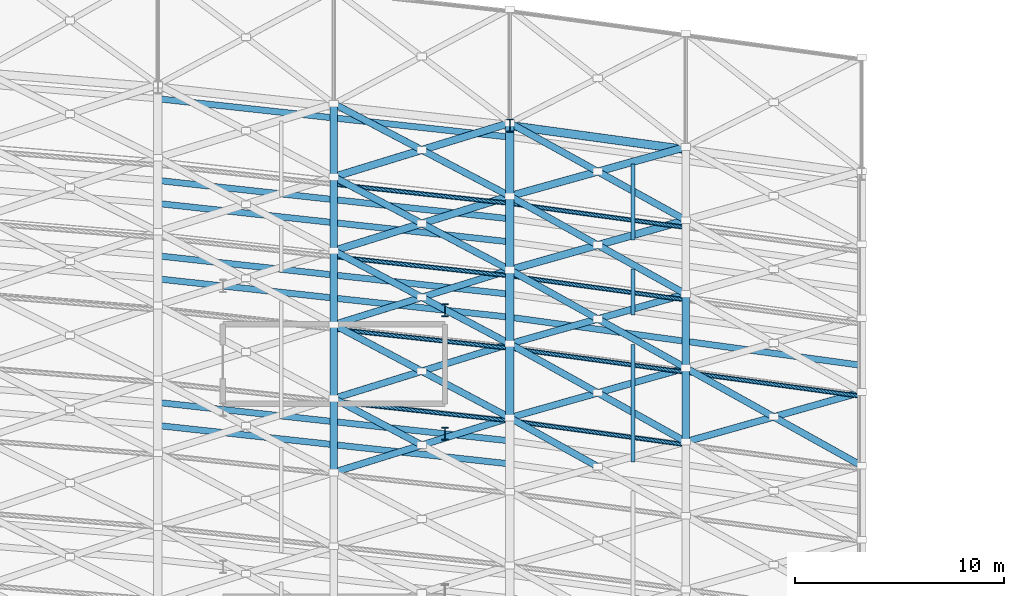
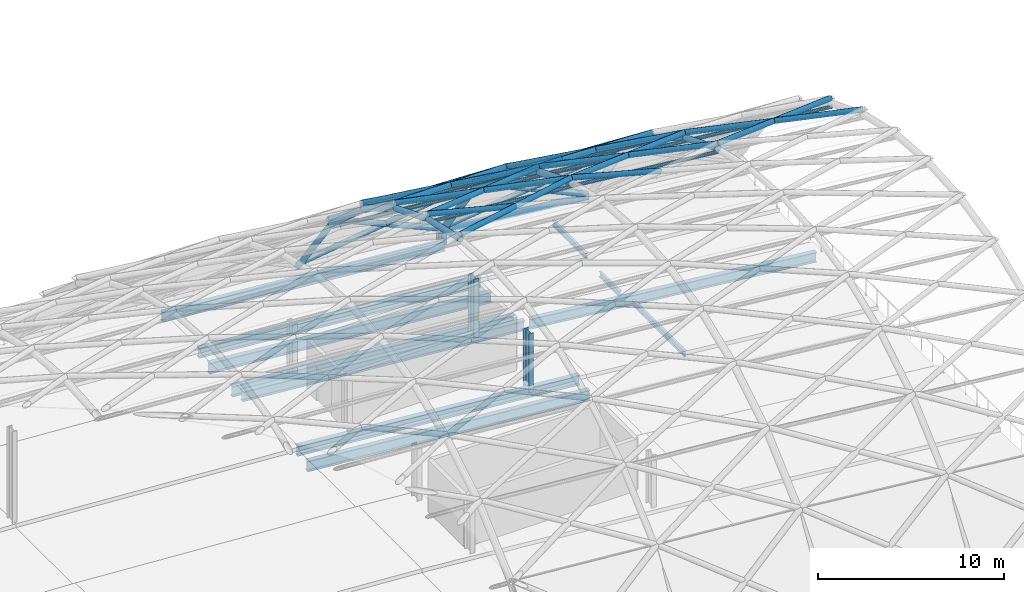
# One storey, part 60 of 100: 54 members, 11 beams.
"""IFC4 building model written with IfcOpenShell, lengths in metres."""

from ifc_helpers import new_model, si_unit, direction, frame, origin, origin_2d, place, context, subcontext, project, spatial, hollow_circle, i_section, extrude, material, material_profile, profile_set, type_object, element, save


model = new_model("IFC4")

# Units and contexts
model_context = context("Model", 3, precision=1e-05, world=origin(), true_north=direction((0.0, 1.0)))
body_context = subcontext(model_context, "Body", "Model", "MODEL_VIEW")
ifc_project = project(units=[si_unit("LENGTHUNIT", "METRE"), si_unit("AREAUNIT", "SQUARE_METRE"), si_unit("VOLUMEUNIT", "CUBIC_METRE"), si_unit("PLANEANGLEUNIT", "RADIAN"), si_unit("MASSUNIT", "GRAM", prefix="KILO")], contexts=[model_context])

# Site, building, storey
site_placement = place(None, origin())
site = spatial("IfcSite", under=ifc_project, at=site_placement, CompositionType="ELEMENT")
building_placement = place(site_placement, origin())
building = spatial("IfcBuilding", under=site, at=building_placement, Name="Kimbaza Rail Terminus", CompositionType="ELEMENT")
storey_placement = place(building_placement, frame((0.0, 0.0, 10.800048828125)))
storey = spatial("IfcBuildingStorey", under=building, at=storey_placement, Name="L02", CompositionType="ELEMENT", Elevation=10.800048828125)

# Beams
ifc_material_1 = material(Name="Steel S355", Category="steel")
ifc_material_profile_1 = material_profile(ifc_material_1, i_section(OverallWidth=0.300048828125, OverallDepth=0.64990234375, WebThickness=0.01611328125, FlangeThickness=0.031005859375, FilletRadius=0.027099609375, at=origin_2d()), Name="HEB 650")
ifc_profile_set_1 = profile_set([ifc_material_profile_1], Name="Steel S355")
beam_type_1 = type_object("IfcBeamType", Name="STR-BM-HEB650", PredefinedType="USERDEFINED", material=ifc_profile_set_1)
for number, where, z_axis, x_axis, name in (
    (1, (172.944091796875, 78.939697265625, -0.5849609375), (0.994108571086, -0.108388878093, 0.0), (0.108388878093, 0.994108571086, 0.0), "Viaduct Chorded Girder P3 Bay 10"),
    (2, (172.944091796875, 84.839599609375, -0.5849609375), (0.994108571086, -0.108388878093, 0.0), (0.108388878093, 0.994108571086, 0.0), "Viaduct Chorded Girder P3 Bay 10"),
    (3, (172.944091796875, 89.539794921875, -0.5849609375), (0.994106987183, -0.108403404165, 0.0), (0.108403404165, 0.994106987183, 0.0), "Viaduct Chorded Girder P4 Bay 10"),
    (4, (172.944091796875, 93.439697265625, -0.5849609375), (0.994108571086, -0.108388878093, 0.0), (0.108388878093, 0.994108571086, 0.0), "Viaduct Chorded Girder P4 Bay 10"),
):
    element("IfcBeam", number, at=place(storey_placement, frame(where, z_axis=z_axis, x_axis=x_axis)), inside=storey, type_object=beam_type_1, Name=name, ObjectType="GIRDER", PredefinedType="USERDEFINED", context=body_context, shape_type="SweptSolid", body=[
        extrude(i_section(OverallWidth=0.300048828125, OverallDepth=0.64990234375, WebThickness=0.01611328125, FlangeThickness=0.031005859375, FilletRadius=0.027099609375, at=origin_2d()), origin(), (0.0, 0.0, 1.0), 16.609619140625),
    ])
beam_1_placement = place(storey_placement, frame((189.74365234375, 83.00390625, -0.5849609375), z_axis=(0.990777321611, -0.135500180745, 0.0), x_axis=(0.135500180745, 0.990777321611, 0.0)))
element("IfcBeam", 5, at=beam_1_placement, inside=storey, type_object=beam_type_1, Name="Viaduct Chorded Girder P3 Bay 11", ObjectType="GIRDER", PredefinedType="USERDEFINED", context=body_context, shape_type="SweptSolid", body=[
    extrude(i_section(OverallWidth=0.300048828125, OverallDepth=0.64990234375, WebThickness=0.01611328125, FlangeThickness=0.031005859375, FilletRadius=0.027099609375, at=origin_2d()), origin(), (0.0, 0.0, 1.0), 16.66650390625),
])
ifc_material_2 = material(Name="Steel S355", Category="steel")
ifc_material_profile_2 = material_profile(ifc_material_2, i_section(OverallWidth=0.300048828125, OverallDepth=0.699951171875, WebThickness=0.01708984375, FlangeThickness=0.031982421875, FilletRadius=0.027099609375, at=origin_2d()), Name="HEB 700")
ifc_profile_set_2 = profile_set([ifc_material_profile_2], Name="Steel S355")
beam_type_2 = type_object("IfcBeamType", Name="STR-BM-HEB700", PredefinedType="USERDEFINED", material=ifc_profile_set_2)
for number, where, z_axis, x_axis, name in (
    (6, (172.944091796875, 77.839599609375, -0.920166015625), (0.994108571086, -0.108388878093, 0.0), (0.108388878093, 0.994108571086, 0.0), "Viaduct Chorded Girder TR34 Bay 10"),
    (7, (172.944091796875, 85.939697265625, -0.920166015625), (0.994108571086, -0.108388878093, 0.0), (0.108388878093, 0.994108571086, 0.0), "Viaduct Chorded Girder TR56 Bay 10"),
    (8, (172.944091796875, 88.439697265625, -0.920166015625), (0.994108571086, -0.108388878093, 0.0), (0.108388878093, 0.994108571086, 0.0), "Viaduct Chorded Girder TR56 Bay 10"),
):
    element("IfcBeam", number, at=place(storey_placement, frame(where, z_axis=z_axis, x_axis=x_axis)), inside=storey, type_object=beam_type_2, Name=name, ObjectType="GIRDER", PredefinedType="USERDEFINED", context=body_context, shape_type="SweptSolid", body=[
        extrude(i_section(OverallWidth=0.300048828125, OverallDepth=0.699951171875, WebThickness=0.01708984375, FlangeThickness=0.031982421875, FilletRadius=0.027099609375, at=origin_2d()), origin(), (0.0, 0.0, 1.0), 16.609619140625),
    ])
ifc_material_3 = material(Name="Steel S355", Category="steel")
ifc_material_profile_3 = material_profile(ifc_material_3, i_section(OverallWidth=0.169921875, OverallDepth=0.360107421875, WebThickness=0.008056640625, FlangeThickness=0.0126953125, FilletRadius=0.01806640625, at=origin_2d()), Name="IPE 360")
ifc_profile_set_3 = profile_set([ifc_material_profile_3], Name="Steel S355")
beam_type_3 = type_object("IfcBeamType", Name="STR-BM-IPE360", PredefinedType="JOIST", material=ifc_profile_set_3)
beam_2_placement = place(storey_placement, frame((195.47998046875, 76.119873046875, -0.43994140625), z_axis=(0.0, 1.0, 0.0), x_axis=(-1.0, 0.0, 0.0)))
element("IfcBeam", 9, at=beam_2_placement, inside=storey, type_object=beam_type_3, Name="Viaduct Diaphragm P3 Bay 11", PredefinedType="JOIST", context=body_context, shape_type="SweptSolid", body=[
    extrude(i_section(OverallWidth=0.169921875, OverallDepth=0.360107421875, WebThickness=0.008056640625, FlangeThickness=0.0126953125, FilletRadius=0.01806640625, at=origin_2d()), origin(), (0.0, 0.0, 1.0), 5.60986328125),
])
beam_3_placement = place(storey_placement, frame((195.47998046875, 83.119873046875, -0.75), z_axis=(0.0, 1.0, 0.0), x_axis=(-1.0, 0.0, 0.0)))
element("IfcBeam", 10, at=beam_3_placement, inside=storey, type_object=beam_type_3, Name="Viaduct Diaphragm TR56 Bay 11", PredefinedType="JOIST", context=body_context, shape_type="SweptSolid", body=[
    extrude(i_section(OverallWidth=0.169921875, OverallDepth=0.360107421875, WebThickness=0.008056640625, FlangeThickness=0.0126953125, FilletRadius=0.01806640625, at=origin_2d()), origin(), (0.0, 0.0, 1.0), 2.2099609375),
])
beam_4_placement = place(storey_placement, frame((195.47998046875, 86.7197265625, -0.43994140625), z_axis=(0.0, 1.0, 0.0), x_axis=(-1.0, 0.0, 0.0)))
element("IfcBeam", 11, at=beam_4_placement, inside=storey, type_object=beam_type_3, Name="Viaduct Diaphragm P4 Bay 11", PredefinedType="JOIST", context=body_context, shape_type="SweptSolid", body=[
    extrude(i_section(OverallWidth=0.169921875, OverallDepth=0.360107421875, WebThickness=0.008056640625, FlangeThickness=0.0126953125, FilletRadius=0.01806640625, at=origin_2d()), origin(), (0.0, 0.0, 1.0), 3.610107421875),
])

# Members
ifc_material_4 = material(Name="White painted steel S355", Category="steel")
ifc_material_profile_4 = material_profile(ifc_material_4, hollow_circle(Radius=0.109619140625, WallThickness=0.008056640625, at=origin_2d()), Name="CHS 219.1x8")
ifc_profile_set_4 = profile_set([ifc_material_profile_4], Name="White painted steel S355")
member_type_1 = type_object("IfcMemberType", Name="STR-MB-CHS219", PredefinedType="PURLIN", material=ifc_profile_set_4)
for number, where, z_axis, x_axis, name in (
    (12, (181.199951171875, 79.003662109375, 11.462158203125), (0.994106819652, -0.108404940487, 0.0), (0.108404940487, 0.994106819652, 0.0), "Vault lattice longitudinal purlin VR-19-VA09"),
    (13, (181.199951171875, 82.460693359375, 10.078857421875), (0.994106819652, -0.108404940487, 0.0), (0.108404940487, 0.994106819652, 0.0), "Vault lattice longitudinal purlin VR-19-VA10"),
    (14, (181.199951171875, 85.917724609375, 7.9716796875), (0.994106819652, -0.108404940487, 0.0), (0.108404940487, 0.994106819652, 0.0), "Vault lattice longitudinal purlin VR-19-VA11"),
    (15, (181.199951171875, 89.374755859375, 4.85205078125), (0.994106819652, -0.108404940487, 0.0), (0.108404940487, 0.994106819652, 0.0), "Vault lattice longitudinal purlin VR-19-VA12"),
):
    element("IfcMember", number, at=place(storey_placement, frame(where, z_axis=z_axis, x_axis=x_axis)), inside=storey, type_object=member_type_1, Name=name, PredefinedType="PURLIN", context=body_context, shape_type="SweptSolid", body=[
        extrude(hollow_circle(Radius=0.109619140625, WallThickness=0.008056640625, at=origin_2d()), origin(), (0.0, 0.0, 1.0), 8.449951171875),
    ])
for number, where, z_axis, x_axis, name in (
    (16, (189.60009765625, 78.087646484375, 11.462158203125), (0.990778928837, -0.135488428186, 0.0), (0.135488428186, 0.990778928837, 0.0), "Vault lattice longitudinal purlin VR-20-VA09"),
    (17, (189.60009765625, 81.544677734375, 10.078857421875), (0.990778928837, -0.135488428186, 0.0), (0.135488428186, 0.990778928837, 0.0), "Vault lattice longitudinal purlin VR-20-VA10"),
    (18, (189.60009765625, 85.001708984375, 7.9716796875), (0.990778928837, -0.135488428186, 0.0), (0.135488428186, 0.990778928837, 0.0), "Vault lattice longitudinal purlin VR-20-VA11"),
    (19, (189.60009765625, 88.458740234375, 4.85205078125), (0.990778928837, -0.135488428186, 0.0), (0.135488428186, 0.990778928837, 0.0), "Vault lattice longitudinal purlin VR-20-VA12"),
    (20, (198.0, 80.39599609375, 10.078857421875), (0.990775062808, -0.135516696087, 0.0), (0.135516696087, 0.990775062808, 0.0), "Vault lattice longitudinal purlin VR-21-VA10"),
):
    element("IfcMember", number, at=place(storey_placement, frame(where, z_axis=z_axis, x_axis=x_axis)), inside=storey, type_object=member_type_1, Name=name, PredefinedType="PURLIN", context=body_context, shape_type="SweptSolid", body=[
        extrude(hollow_circle(Radius=0.109619140625, WallThickness=0.008056640625, at=origin_2d()), origin(), (0.0, 0.0, 1.0), 8.47802734375),
    ])
ifc_material_5 = material(Name="White painted steel S355", Category="steel")
ifc_material_profile_5 = material_profile(ifc_material_5, hollow_circle(Radius=0.161865234375, WallThickness=0.010009765625, at=origin_2d()), Name="CHS 323.9x10")
ifc_profile_set_5 = profile_set([ifc_material_profile_5], Name="White painted steel S355")
member_type_2 = type_object("IfcMemberType", Name="STR-MB-CHS323", PredefinedType="STRUT", material=ifc_profile_set_5)
member_1_placement = place(storey_placement, frame((181.199951171875, 75.6162109375, 12.71728515625), z_axis=(0.950961352236, 0.295539562864, -0.091262661234), x_axis=(-0.296778060516, 0.95494648164, 0.0)))
element("IfcMember", 21, at=member_1_placement, inside=storey, type_object=member_type_2, Name="Vault lattice diagonal A VR-19-VA08", PredefinedType="STRUT", context=body_context, shape_type="SweptSolid", body=[
    extrude(hollow_circle(Radius=0.161865234375, WallThickness=0.010009765625, at=origin_2d()), origin(), (0.0, 0.0, 1.0), 8.833251953125),
])
member_2_placement = place(storey_placement, frame((185.39990234375, 76.921630859375, 12.314208984375), z_axis=(-0.880824902411, 0.465834154632, -0.084534204144), x_axis=(-0.467507561467, -0.883989072314, 0.0)))
element("IfcMember", 22, at=member_2_placement, inside=storey, type_object=member_type_2, Name="Vault lattice diagonal B2 VR-19-VA08", PredefinedType="STRUT", context=body_context, shape_type="SweptSolid", body=[
    extrude(hollow_circle(Radius=0.161865234375, WallThickness=0.010009765625, at=origin_2d()), origin(), (0.0, 0.0, 1.0), 4.768310546875),
])
member_3_placement = place(storey_placement, frame((181.199951171875, 79.142822265625, 11.9111328125), z_axis=(0.942879348066, 0.293055243067, -0.158420830388), x_axis=(-0.296803370095, 0.954938615567, 0.0)))
element("IfcMember", 23, at=member_3_placement, inside=storey, type_object=member_type_2, Name="Vault lattice diagonal A VR-19-VA09", PredefinedType="STRUT", context=body_context, shape_type="SweptSolid", body=[
    extrude(hollow_circle(Radius=0.161865234375, WallThickness=0.010009765625, at=origin_2d()), origin(), (0.0, 0.0, 1.0), 8.908935546875),
])
member_4_placement = place(storey_placement, frame((189.60009765625, 78.226806640625, 11.9111328125), z_axis=(-0.874391200487, 0.462455564591, -0.146883897315), x_axis=(-0.467526478486, -0.883979067577, 0.0)))
element("IfcMember", 24, at=member_4_placement, inside=storey, type_object=member_type_2, Name="Vault lattice diagonal B1 VR-19-VA09", PredefinedType="STRUT", context=body_context, shape_type="SweptSolid", body=[
    extrude(hollow_circle(Radius=0.161865234375, WallThickness=0.010009765625, at=origin_2d()), origin(), (0.0, 0.0, 1.0), 4.803466796875),
])
member_5_placement = place(storey_placement, frame((185.39990234375, 80.4482421875, 11.20556640625), z_axis=(-0.874393256877, 0.462432706567, -0.146943609), x_axis=(-0.467507561467, -0.883989072314, 0.0)))
element("IfcMember", 25, at=member_5_placement, inside=storey, type_object=member_type_2, Name="Vault lattice diagonal B2 VR-19-VA09", PredefinedType="STRUT", context=body_context, shape_type="SweptSolid", body=[
    extrude(hollow_circle(Radius=0.161865234375, WallThickness=0.010009765625, at=origin_2d()), origin(), (0.0, 0.0, 1.0), 4.80322265625),
])
member_6_placement = place(storey_placement, frame((181.199951171875, 82.66943359375, 10.499755859375), z_axis=(0.927647067893, 0.288320915629, -0.237364628876), x_axis=(-0.296803370095, 0.954938615567, 0.0)))
element("IfcMember", 26, at=member_6_placement, inside=storey, type_object=member_type_2, Name="Vault lattice diagonal A VR-19-VA10", PredefinedType="STRUT", context=body_context, shape_type="SweptSolid", body=[
    extrude(hollow_circle(Radius=0.161865234375, WallThickness=0.010009765625, at=origin_2d()), origin(), (0.0, 0.0, 1.0), 9.055419921875),
])
for number, where, z_axis, x_axis, name in (
    (27, (189.60009765625, 81.753662109375, 10.499755859375), (-0.862219068573, 0.455967745052, -0.220616620545), (-0.467486326026, -0.884000302589, 0.0), "Vault lattice diagonal B1 VR-19-VA10"),
    (28, (185.39990234375, 83.974853515625, 9.425048828125), (-0.862186503553, 0.456027146186, -0.220621111936), (-0.467547714731, -0.883967835642, 0.0), "Vault lattice diagonal B2 VR-19-VA10"),
):
    element("IfcMember", number, at=place(storey_placement, frame(where, z_axis=z_axis, x_axis=x_axis)), inside=storey, type_object=member_type_2, Name=name, PredefinedType="STRUT", context=body_context, shape_type="SweptSolid", body=[
        extrude(hollow_circle(Radius=0.161865234375, WallThickness=0.010009765625, at=origin_2d()), origin(), (0.0, 0.0, 1.0), 4.871337890625),
    ])
for number, where, z_axis, x_axis, name in (
    (29, (189.60009765625, 85.2802734375, 8.350341796875), (-0.838237197066, 0.443285399843, -0.317579054317), (-0.467486326026, -0.884000302589, 0.0), "Vault lattice diagonal B1 VR-19-VA11"),
    (30, (185.39990234375, 87.50146484375, 6.759033203125), (-0.83820460174, 0.443342653678, -0.317585165037), (-0.467547714731, -0.883967835642, 0.0), "Vault lattice diagonal B2 VR-19-VA11"),
):
    element("IfcMember", number, at=place(storey_placement, frame(where, z_axis=z_axis, x_axis=x_axis)), inside=storey, type_object=member_type_2, Name=name, PredefinedType="STRUT", context=body_context, shape_type="SweptSolid", body=[
        extrude(hollow_circle(Radius=0.161865234375, WallThickness=0.010009765625, at=origin_2d()), origin(), (0.0, 0.0, 1.0), 5.0107421875),
    ])
member_7_placement = place(storey_placement, frame((189.60009765625, 88.806884765625, 5.167724609375), z_axis=(-0.779835419329, 0.409137089913, -0.473775854617), x_axis=(-0.464587742709, -0.885527091243, 0.0)))
element("IfcMember", 31, at=member_7_placement, inside=storey, type_object=member_type_2, Name="Vault lattice diagonal B1 VR-19-VA12", PredefinedType="STRUT", context=body_context, shape_type="SweptSolid", body=[
    extrude(hollow_circle(Radius=0.161865234375, WallThickness=0.010009765625, at=origin_2d()), origin(), (0.0, 0.0, 1.0), 5.385986328125),
])
member_8_placement = place(storey_placement, frame((185.39990234375, 91.010498046875, 2.615966796875), z_axis=(-0.77983211888, 0.409113809969, -0.473801389672), x_axis=(-0.464568554853, -0.885537157799, 0.0)))
element("IfcMember", 32, at=member_8_placement, inside=storey, type_object=member_type_2, Name="Vault lattice diagonal B2 VR-19-VA12", PredefinedType="STRUT", context=body_context, shape_type="SweptSolid", body=[
    extrude(hollow_circle(Radius=0.161865234375, WallThickness=0.010009765625, at=origin_2d()), origin(), (0.0, 0.0, 1.0), 5.3857421875),
])
member_9_placement = place(storey_placement, frame((193.800048828125, 75.88916015625, 12.314208984375), z_axis=(-0.87071755489, 0.48463178446, -0.083564185498), x_axis=(-0.486332783542, -0.873773668436, 0.0)))
element("IfcMember", 33, at=member_9_placement, inside=storey, type_object=member_type_2, Name="Vault lattice diagonal B2 VR-20-VA08", PredefinedType="STRUT", context=body_context, shape_type="SweptSolid", body=[
    extrude(hollow_circle(Radius=0.161865234375, WallThickness=0.010009765625, at=origin_2d()), origin(), (0.0, 0.0, 1.0), 4.823486328125),
])
member_10_placement = place(storey_placement, frame((189.60009765625, 78.226806640625, 11.9111328125), z_axis=(0.949854908832, 0.268894576877, -0.159597489623), x_axis=(-0.272385973351, 0.962188069725, 0.0)))
element("IfcMember", 34, at=member_10_placement, inside=storey, type_object=member_type_2, Name="Vault lattice diagonal A VR-20-VA09", PredefinedType="STRUT", context=body_context, shape_type="SweptSolid", body=[
    extrude(hollow_circle(Radius=0.161865234375, WallThickness=0.010009765625, at=origin_2d()), origin(), (0.0, 0.0, 1.0), 8.84326171875),
])
member_11_placement = place(storey_placement, frame((198.0, 77.078125, 11.9111328125), z_axis=(-0.864509546496, 0.481176475481, -0.145232377456), x_axis=(-0.486332783542, -0.873773668436, 0.0)))
element("IfcMember", 35, at=member_11_placement, inside=storey, type_object=member_type_2, Name="Vault lattice diagonal B1 VR-20-VA09", PredefinedType="STRUT", context=body_context, shape_type="SweptSolid", body=[
    extrude(hollow_circle(Radius=0.161865234375, WallThickness=0.010009765625, at=origin_2d()), origin(), (0.0, 0.0, 1.0), 4.858154296875),
])
member_12_placement = place(storey_placement, frame((193.800048828125, 79.415771484375, 11.20556640625), z_axis=(-0.864482331541, 0.481211579773, -0.145278057344), x_axis=(-0.486371560754, -0.873752084341, 0.0)))
element("IfcMember", 36, at=member_12_placement, inside=storey, type_object=member_type_2, Name="Vault lattice diagonal B2 VR-20-VA09", PredefinedType="STRUT", context=body_context, shape_type="SweptSolid", body=[
    extrude(hollow_circle(Radius=0.161865234375, WallThickness=0.010009765625, at=origin_2d()), origin(), (0.0, 0.0, 1.0), 4.8583984375),
])
member_13_placement = place(storey_placement, frame((189.60009765625, 81.753662109375, 10.499755859375), z_axis=(0.934286738554, 0.264487381082, -0.239070523927), x_axis=(-0.272385973351, 0.962188069725, 0.0)))
element("IfcMember", 37, at=member_13_placement, inside=storey, type_object=member_type_2, Name="Vault lattice diagonal A VR-20-VA10", PredefinedType="STRUT", context=body_context, shape_type="SweptSolid", body=[
    extrude(hollow_circle(Radius=0.161865234375, WallThickness=0.010009765625, at=origin_2d()), origin(), (0.0, 0.0, 1.0), 8.99072265625),
])
member_14_placement = place(storey_placement, frame((198.0, 80.604736328125, 10.499755859375), z_axis=(-0.852699483908, 0.474652691851, -0.21819352021), x_axis=(-0.486371560754, -0.873752084341, 0.0)))
element("IfcMember", 38, at=member_14_placement, inside=storey, type_object=member_type_2, Name="Vault lattice diagonal B1 VR-20-VA10", PredefinedType="STRUT", context=body_context, shape_type="SweptSolid", body=[
    extrude(hollow_circle(Radius=0.161865234375, WallThickness=0.010009765625, at=origin_2d()), origin(), (0.0, 0.0, 1.0), 4.925537109375),
])
member_15_placement = place(storey_placement, frame((193.800048828125, 82.942626953125, 9.425048828125), z_axis=(-0.852719545085, 0.474614290774, -0.218198653576), x_axis=(-0.486332783542, -0.873773668436, 0.0)))
element("IfcMember", 39, at=member_15_placement, inside=storey, type_object=member_type_2, Name="Vault lattice diagonal B2 VR-20-VA10", PredefinedType="STRUT", context=body_context, shape_type="SweptSolid", body=[
    extrude(hollow_circle(Radius=0.161865234375, WallThickness=0.010009765625, at=origin_2d()), origin(), (0.0, 0.0, 1.0), 4.92529296875),
])
for number, where, z_axis, x_axis, name in (
    (40, (198.0, 84.131591796875, 8.350341796875), (-0.829498011625, 0.461689441453, -0.314286347717), (-0.486332783542, -0.873773668436, 0.0), "Vault lattice diagonal B1 VR-20-VA11"),
    (41, (193.800048828125, 86.46923828125, 6.759033203125), (-0.829498011625, 0.461689441453, -0.314286347717), (-0.486332783542, -0.873773668436, 0.0), "Vault lattice diagonal B2 VR-20-VA11"),
):
    element("IfcMember", number, at=place(storey_placement, frame(where, z_axis=z_axis, x_axis=x_axis)), inside=storey, type_object=member_type_2, Name=name, PredefinedType="STRUT", context=body_context, shape_type="SweptSolid", body=[
        extrude(hollow_circle(Radius=0.161865234375, WallThickness=0.010009765625, at=origin_2d()), origin(), (0.0, 0.0, 1.0), 5.063232421875),
    ])
member_16_placement = place(storey_placement, frame((198.0, 87.658203125, 5.167724609375), z_axis=(-0.772846224384, 0.426878150561, -0.4695569806), x_axis=(-0.483494281718, -0.875347519301, 0.0)))
element("IfcMember", 42, at=member_16_placement, inside=storey, type_object=member_type_2, Name="Vault lattice diagonal B1 VR-20-VA12", PredefinedType="STRUT", context=body_context, shape_type="SweptSolid", body=[
    extrude(hollow_circle(Radius=0.161865234375, WallThickness=0.010009765625, at=origin_2d()), origin(), (0.0, 0.0, 1.0), 5.434326171875),
])
member_17_placement = place(storey_placement, frame((193.800048828125, 89.97802734375, 2.615966796875), z_axis=(-0.772831402743, 0.426914888116, -0.469547975439), x_axis=(-0.483533268851, -0.875325983799, 0.0)))
element("IfcMember", 43, at=member_17_placement, inside=storey, type_object=member_type_2, Name="Vault lattice diagonal B2 VR-20-VA12", PredefinedType="STRUT", context=body_context, shape_type="SweptSolid", body=[
    extrude(hollow_circle(Radius=0.161865234375, WallThickness=0.010009765625, at=origin_2d()), origin(), (0.0, 0.0, 1.0), 5.4345703125),
])
member_18_placement = place(storey_placement, frame((198.0, 77.078125, 11.9111328125), z_axis=(0.949854908832, 0.268894576877, -0.159597489623), x_axis=(-0.272385973351, 0.962188069725, 0.0)))
element("IfcMember", 44, at=member_18_placement, inside=storey, type_object=member_type_2, Name="Vault lattice diagonal A VR-21-VA09", PredefinedType="STRUT", context=body_context, shape_type="SweptSolid", body=[
    extrude(hollow_circle(Radius=0.161865234375, WallThickness=0.010009765625, at=origin_2d()), origin(), (0.0, 0.0, 1.0), 8.84326171875),
])
for number, where, z_axis, x_axis, name in (
    (45, (206.39990234375, 75.929443359375, 11.9111328125), (-0.864509546496, 0.481176475481, -0.145232377456), (-0.486332783542, -0.873773668436, 0.0), "Vault lattice diagonal B1 VR-21-VA09"),
    (46, (202.199951171875, 78.26708984375, 11.20556640625), (-0.864503235917, 0.481172963082, -0.145281570368), (-0.486332783542, -0.873773668436, 0.0), "Vault lattice diagonal B2 VR-21-VA09"),
):
    element("IfcMember", number, at=place(storey_placement, frame(where, z_axis=z_axis, x_axis=x_axis)), inside=storey, type_object=member_type_2, Name=name, PredefinedType="STRUT", context=body_context, shape_type="SweptSolid", body=[
        extrude(hollow_circle(Radius=0.161865234375, WallThickness=0.010009765625, at=origin_2d()), origin(), (0.0, 0.0, 1.0), 4.858154296875),
    ])
ifc_material_6 = material(Name="White painted steel S355", Category="steel")
ifc_material_profile_6 = material_profile(ifc_material_6, hollow_circle(Radius=0.177734375, WallThickness=0.012451171875, at=origin_2d()), Name="CHS 355.6x12.5")
ifc_profile_set_6 = profile_set([ifc_material_profile_6], Name="White painted steel S355")
member_type_3 = type_object("IfcMemberType", Name="STR-MB-CHS355", PredefinedType="CHORD", material=ifc_profile_set_6)
member_19_placement = place(storey_placement, frame((181.199951171875, 75.57177734375, 12.420654296875), z_axis=(0.0, 0.974845354939, -0.22288233208), x_axis=(-1.0, 0.0, 0.0)))
element("IfcMember", 47, at=member_19_placement, inside=storey, type_object=member_type_3, Name="Vault lattice arch chord VR-19 seg 9", PredefinedType="CHORD", context=body_context, shape_type="SweptSolid", body=[
    extrude(hollow_circle(Radius=0.177734375, WallThickness=0.012451171875, at=origin_2d()), origin(), (0.0, 0.0, 1.0), 3.572021484375),
])
member_20_placement = place(storey_placement, frame((181.199951171875, 79.053955078125, 11.62451171875), z_axis=(0.0, 0.928413829694, -0.37154779078), x_axis=(-1.0, 0.0, 0.0)))
element("IfcMember", 48, at=member_20_placement, inside=storey, type_object=member_type_3, Name="Vault lattice arch chord VR-19 seg 10", PredefinedType="CHORD", context=body_context, shape_type="SweptSolid", body=[
    extrude(hollow_circle(Radius=0.177734375, WallThickness=0.012451171875, at=origin_2d()), origin(), (0.0, 0.0, 1.0), 3.750732421875),
])
member_21_placement = place(storey_placement, frame((181.199951171875, 82.5361328125, 10.23095703125), z_axis=(0.0, 0.853901304322, -0.520434974302), x_axis=(-1.0, 0.0, 0.0)))
element("IfcMember", 49, at=member_21_placement, inside=storey, type_object=member_type_3, Name="Vault lattice arch chord VR-19 seg 11", PredefinedType="CHORD", context=body_context, shape_type="SweptSolid", body=[
    extrude(hollow_circle(Radius=0.177734375, WallThickness=0.012451171875, at=origin_2d()), origin(), (0.0, 0.0, 1.0), 4.077880859375),
])
member_22_placement = place(storey_placement, frame((181.199951171875, 86.018310546875, 8.108642578125), z_axis=(0.0, 0.742403219767, -0.669953326195), x_axis=(-1.0, 0.0, 0.0)))
element("IfcMember", 50, at=member_22_placement, inside=storey, type_object=member_type_3, Name="Vault lattice arch chord VR-19 seg 12", PredefinedType="CHORD", context=body_context, shape_type="SweptSolid", body=[
    extrude(hollow_circle(Radius=0.177734375, WallThickness=0.012451171875, at=origin_2d()), origin(), (0.0, 0.0, 1.0), 4.690673828125),
])
member_23_placement = place(storey_placement, frame((181.199951171875, 89.500732421875, 4.966064453125), z_axis=(0.0, 0.585733481953, -0.810503724926), x_axis=(-1.0, 0.0, 0.0)))
element("IfcMember", 51, at=member_23_placement, inside=storey, type_object=member_type_3, Name="Vault lattice arch chord VR-19 seg 13", PredefinedType="CHORD", context=body_context, shape_type="SweptSolid", body=[
    extrude(hollow_circle(Radius=0.177734375, WallThickness=0.012451171875, at=origin_2d()), origin(), (0.0, 0.0, 1.0), 6.127197265625),
])
member_24_placement = place(storey_placement, frame((198.0, 76.9892578125, 11.62451171875), z_axis=(0.0, 0.928413829694, -0.37154779078), x_axis=(-1.0, 0.0, 0.0)))
element("IfcMember", 52, at=member_24_placement, inside=storey, type_object=member_type_3, Name="Vault lattice arch chord VR-21 seg 10", PredefinedType="CHORD", context=body_context, shape_type="SweptSolid", body=[
    extrude(hollow_circle(Radius=0.177734375, WallThickness=0.012451171875, at=origin_2d()), origin(), (0.0, 0.0, 1.0), 3.750732421875),
])
member_25_placement = place(storey_placement, frame((198.0, 80.471435546875, 10.23095703125), z_axis=(0.0, 0.853901304322, -0.520434974302), x_axis=(-1.0, 0.0, 0.0)))
element("IfcMember", 53, at=member_25_placement, inside=storey, type_object=member_type_3, Name="Vault lattice arch chord VR-21 seg 11", PredefinedType="CHORD", context=body_context, shape_type="SweptSolid", body=[
    extrude(hollow_circle(Radius=0.177734375, WallThickness=0.012451171875, at=origin_2d()), origin(), (0.0, 0.0, 1.0), 4.077880859375),
])
member_26_placement = place(storey_placement, frame((181.199951171875, 86.1962890625, 8.350341796875), z_axis=(0.897978935304, 0.279073698817, -0.34022301859), x_axis=(-0.296778060516, 0.95494648164, 0.0)))
element("IfcMember", 54, at=member_26_placement, inside=storey, type_object=member_type_3, Name="Vault lattice diagonal A VR-19-VA11", PredefinedType="CHORD", context=body_context, shape_type="SweptSolid", body=[
    extrude(hollow_circle(Radius=0.177734375, WallThickness=0.012451171875, at=origin_2d()), origin(), (0.0, 0.0, 1.0), 9.3544921875),
])
member_27_placement = place(storey_placement, frame((181.199951171875, 89.722900390625, 5.167724609375), z_axis=(0.826728554664, 0.253446472944, -0.502279585744), x_axis=(-0.293101568132, 0.9560813097, 0.0)))
element("IfcMember", 55, at=member_27_placement, inside=storey, type_object=member_type_3, Name="Vault lattice diagonal A VR-19-VA12", PredefinedType="CHORD", context=body_context, shape_type="SweptSolid", body=[
    extrude(hollow_circle(Radius=0.177734375, WallThickness=0.012451171875, at=origin_2d()), origin(), (0.0, 0.0, 1.0), 10.16064453125),
])
member_28_placement = place(storey_placement, frame((189.60009765625, 85.2802734375, 8.350341796875), z_axis=(0.903989284576, 0.255910470028, -0.342510152698), x_axis=(-0.272385973351, 0.962188069725, 0.0)))
element("IfcMember", 56, at=member_28_placement, inside=storey, type_object=member_type_3, Name="Vault lattice diagonal A VR-20-VA11", PredefinedType="CHORD", context=body_context, shape_type="SweptSolid", body=[
    extrude(hollow_circle(Radius=0.177734375, WallThickness=0.012451171875, at=origin_2d()), origin(), (0.0, 0.0, 1.0), 9.2919921875),
])
member_29_placement = place(storey_placement, frame((189.60009765625, 88.806884765625, 5.167724609375), z_axis=(0.831345415058, 0.231817936176, -0.50509924305), x_axis=(-0.268599628329, 0.963251908724, 0.0)))
element("IfcMember", 57, at=member_29_placement, inside=storey, type_object=member_type_3, Name="Vault lattice diagonal A VR-20-VA12", PredefinedType="CHORD", context=body_context, shape_type="SweptSolid", body=[
    extrude(hollow_circle(Radius=0.177734375, WallThickness=0.012451171875, at=origin_2d()), origin(), (0.0, 0.0, 1.0), 10.10400390625),
])
ifc_material_7 = material(Name="White painted steel S355", Category="steel")
ifc_material_profile_7 = material_profile(ifc_material_7, hollow_circle(Radius=0.203125, WallThickness=0.01416015625, at=origin_2d()), Name="CHS 406.4x14.2")
ifc_profile_set_7 = profile_set([ifc_material_profile_7], Name="White painted steel S355")
member_type_4 = type_object("IfcMemberType", Name="STR-MB-CHS406", PredefinedType="CHORD", material=ifc_profile_set_7)
member_30_placement = place(storey_placement, frame((189.60009765625, 78.137939453125, 11.62451171875), z_axis=(0.0, 0.928422814748, -0.371525338375), x_axis=(-1.0, 0.0, 0.0)))
element("IfcMember", 58, at=member_30_placement, inside=storey, type_object=member_type_4, Name="Vault lattice arch chord VR-20 seg 10", PredefinedType="CHORD", context=body_context, shape_type="SweptSolid", body=[
    extrude(hollow_circle(Radius=0.203125, WallThickness=0.01416015625, at=origin_2d()), origin(), (0.0, 0.0, 1.0), 3.7509765625),
])
member_31_placement = place(storey_placement, frame((189.60009765625, 81.620361328125, 10.23095703125), z_axis=(0.0, 0.853901304322, -0.520434974302), x_axis=(-1.0, 0.0, 0.0)))
element("IfcMember", 59, at=member_31_placement, inside=storey, type_object=member_type_4, Name="Vault lattice arch chord VR-20 seg 11", PredefinedType="CHORD", context=body_context, shape_type="SweptSolid", body=[
    extrude(hollow_circle(Radius=0.203125, WallThickness=0.01416015625, at=origin_2d()), origin(), (0.0, 0.0, 1.0), 4.077880859375),
])
member_32_placement = place(storey_placement, frame((189.60009765625, 85.1025390625, 8.108642578125), z_axis=(0.0, 0.742379857618, -0.669979213859), x_axis=(-1.0, 0.0, 0.0)))
element("IfcMember", 60, at=member_32_placement, inside=storey, type_object=member_type_4, Name="Vault lattice arch chord VR-20 seg 12", PredefinedType="CHORD", context=body_context, shape_type="SweptSolid", body=[
    extrude(hollow_circle(Radius=0.203125, WallThickness=0.01416015625, at=origin_2d()), origin(), (0.0, 0.0, 1.0), 4.690673828125),
])
member_33_placement = place(storey_placement, frame((189.60009765625, 88.584716796875, 4.966064453125), z_axis=(0.0, 0.585733481953, -0.810503724926), x_axis=(-1.0, 0.0, 0.0)))
element("IfcMember", 61, at=member_33_placement, inside=storey, type_object=member_type_4, Name="Vault lattice arch chord VR-20 seg 13", PredefinedType="CHORD", context=body_context, shape_type="SweptSolid", body=[
    extrude(hollow_circle(Radius=0.203125, WallThickness=0.01416015625, at=origin_2d()), origin(), (0.0, 0.0, 1.0), 6.127197265625),
])
member_34_placement = place(storey_placement, frame((189.60009765625, 92.173583984375, 0.0), z_axis=(0.990778928837, -0.135488428186, 0.0), x_axis=(0.135488428186, 0.990778928837, 0.0)))
element("IfcMember", 62, at=member_34_placement, inside=storey, type_object=member_type_4, Name="Vault lattice springing ring chord VR-20", PredefinedType="CHORD", context=body_context, shape_type="SweptSolid", body=[
    extrude(hollow_circle(Radius=0.203125, WallThickness=0.01416015625, at=origin_2d()), origin(), (0.0, 0.0, 1.0), 8.47802734375),
])
ifc_material_8 = material(Name="Steel S355", Category="steel")
ifc_material_profile_8 = material_profile(ifc_material_8, i_section(OverallWidth=0.304931640625, OverallDepth=0.6201171875, WebThickness=0.02099609375, FlangeThickness=0.0400390625, FilletRadius=0.027099609375, at=origin_2d()), Name="HEM 600")
ifc_profile_set_8 = profile_set([ifc_material_profile_8], Name="Steel S355")
member_type_5 = type_object("IfcMemberType", Name="STR-MB-HEM600", PredefinedType="POST", material=ifc_profile_set_8)
member_35_placement = place(storey_placement, frame((189.60009765625, 92.173583984375, -0.800048828125), z_axis=(0.0, 0.0, 1.0), x_axis=(1.0, 0.0, 0.0)))
element("IfcMember", 63, at=member_35_placement, inside=storey, type_object=member_type_5, Name="Vault Springing Shoe Pedestal N VP-11", PredefinedType="POST", context=body_context, shape_type="SweptSolid", body=[
    extrude(i_section(OverallWidth=0.304931640625, OverallDepth=0.6201171875, WebThickness=0.02099609375, FlangeThickness=0.0400390625, FilletRadius=0.027099609375, at=origin_2d()), origin(), (0.0, 0.0, 1.0), 0.800048828125),
])
for number, where, z_axis, x_axis, name in (
    (64, (186.5, 77.461669921875, -0.449951171875), (0.0, 0.0, 1.0), (1.0, 0.0, 0.0), "Island Platform 4-5 Air-Conditioned Waiting Lounge 10 Corner Post 2"),
    (65, (186.5, 83.361572265625, -0.449951171875), (0.0, 0.0, 1.0), (1.0, 0.0, 0.0), "Island Platform 4-5 Air-Conditioned Waiting Lounge 10 Corner Post 3"),
):
    element("IfcMember", number, at=place(storey_placement, frame(where, z_axis=z_axis, x_axis=x_axis)), inside=storey, type_object=member_type_5, Name=name, PredefinedType="POST", context=body_context, shape_type="SweptSolid", body=[
        extrude(i_section(OverallWidth=0.304931640625, OverallDepth=0.6201171875, WebThickness=0.02099609375, FlangeThickness=0.0400390625, FilletRadius=0.027099609375, at=origin_2d()), origin(), (0.0, 0.0, 1.0), 3.869873046875),
    ])

save(model, "model.ifc")
